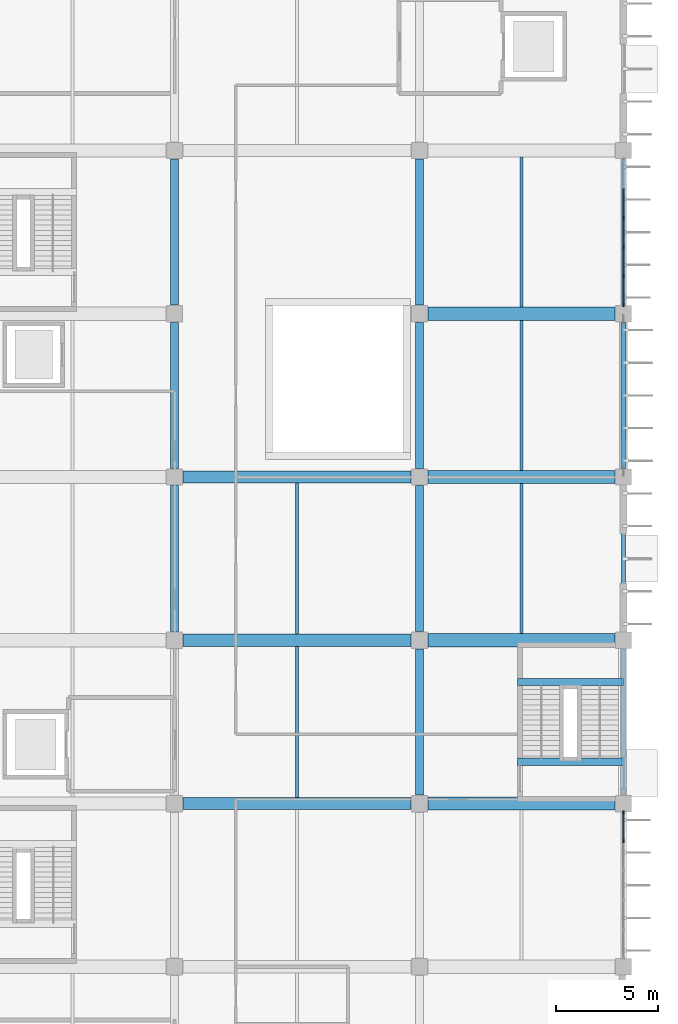
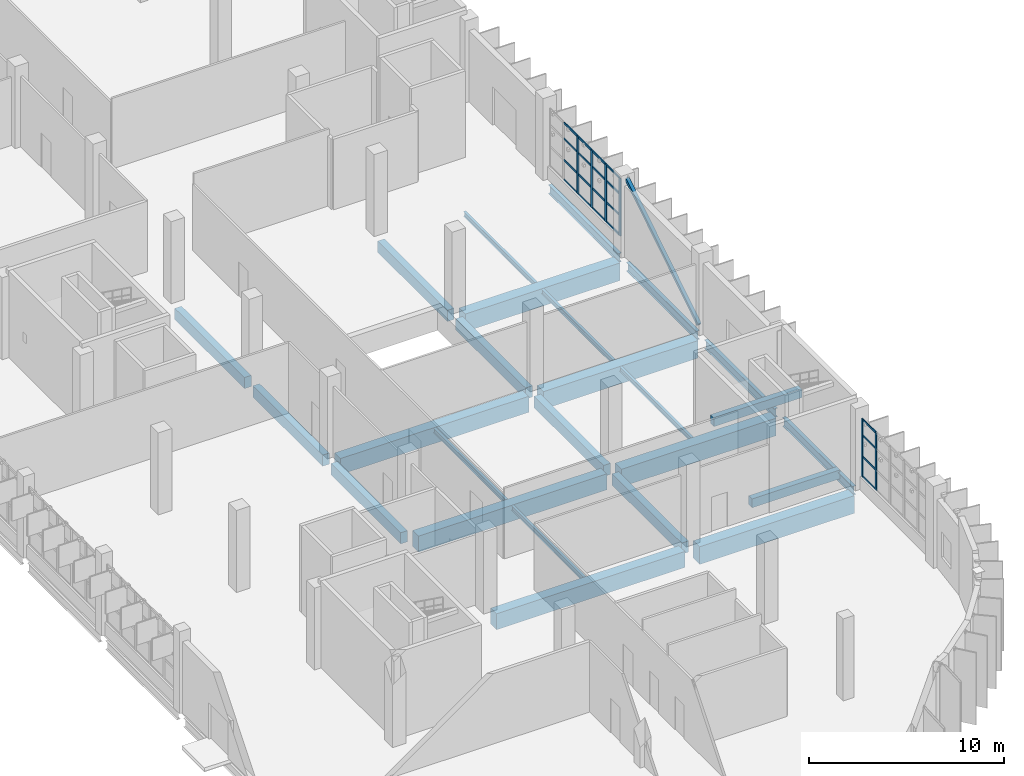
# One storey, part 46 of 103: 27 members, 25 beams, 2 elements without a shape of their own.
"""IFC4 building model written with IfcOpenShell, lengths in metres."""

from ifc_helpers import new_model, si_unit, direction, frame, origin, origin_2d, place, context, subcontext, project, spatial, rectangle, hollow_rectangle, i_section, extrude, material, layer, layer_set, material_profile, profile_set, type_object, element, aggregate, save


model = new_model("IFC4")

# Units and contexts
model_context = context("Model", 3, precision=1e-05, world=origin(), true_north=direction((0.0, 1.0)))
body_context = subcontext(model_context, "Body", "Model", "MODEL_VIEW")
ifc_project = project(units=[si_unit("LENGTHUNIT", "METRE"), si_unit("AREAUNIT", "SQUARE_METRE"), si_unit("VOLUMEUNIT", "CUBIC_METRE"), si_unit("PLANEANGLEUNIT", "RADIAN"), si_unit("MASSUNIT", "GRAM", prefix="KILO")], contexts=[model_context])

# Site, building, storey
site_placement = place(None, origin())
site = spatial("IfcSite", under=ifc_project, at=site_placement, CompositionType="ELEMENT")
building_placement = place(site_placement, origin())
building = spatial("IfcBuilding", under=site, at=building_placement, Name="Drelvana Railside Aquatics Centre", CompositionType="ELEMENT")
storey_placement = place(building_placement, origin())
storey = spatial("IfcBuildingStorey", under=building, at=storey_placement, Name="L00", CompositionType="ELEMENT", Elevation=0.0)

# Curtain wall, members
ifc_material_1 = material(Name="Bronze-anodised aluminium curtain wall", Category="aluminium")
ifc_layer = layer(ifc_material_1, 0.175048828125, Name="Bronze-anodised aluminium curtain wall")
ifc_layer_set = layer_set([ifc_layer], Name="Bronze-anodised aluminium curtain wall")
curtain_wall_type = type_object("IfcCurtainWallType", Name="CW-Z6-WING", PredefinedType="NOTDEFINED", material=ifc_layer_set)
curtain_wall_1_placement = place(storey_placement, origin())
curtain_wall_1 = element("IfcCurtainWall", 1, at=curtain_wall_1_placement, inside=storey, type_object=curtain_wall_type, Name="Curtain wall CW-06-166", PredefinedType="NOTDEFINED")
ifc_material_2 = material(Name="Bronze-anodised aluminium 6063-T6", Category="aluminium")
ifc_material_profile_1 = material_profile(ifc_material_2, rectangle(XDim=0.06494140625, YDim=0.175048828125, at=origin_2d()), Name="ALU-M 65x175")
ifc_profile_set_1 = profile_set([ifc_material_profile_1], Name="Bronze-anodised aluminium 6063-T6")
member_type_1 = type_object("IfcMemberType", Name="CW-Z6-WING-MUL", PredefinedType="MULLION", material=ifc_profile_set_1)
member_1_placement = place(storey_placement, frame((184.0, 30.16357421875, 0.7939453125), z_axis=(0.0, 0.0, 1.0), x_axis=(-1.0, 0.0, 0.0)))
member_1 = element("IfcMember", 2, at=member_1_placement, type_object=member_type_1, Name="CW-06 mullion 5", PredefinedType="MULLION", context=body_context, shape_type="SweptSolid", body=[
    extrude(rectangle(XDim=0.06494140625, YDim=0.175048828125, at=origin_2d()), origin(), (0.0, 0.0, 1.0), 3.60595703125),
])
member_2_placement = place(storey_placement, frame((184.0, 31.573486328125, 0.7939453125), z_axis=(0.0, 0.0, 1.0), x_axis=(-1.0, 0.0, 0.0)))
member_2 = element("IfcMember", 3, at=member_2_placement, type_object=member_type_1, Name="CW-06 mullion 6", PredefinedType="MULLION", context=body_context, shape_type="SweptSolid", body=[
    extrude(rectangle(XDim=0.06494140625, YDim=0.175048828125, at=origin_2d()), origin(), (0.0, 0.0, 1.0), 3.60595703125),
])

curtain_wall_2_placement = place(storey_placement, origin())
curtain_wall_2 = element("IfcCurtainWall", 4, at=curtain_wall_2_placement, inside=storey, type_object=curtain_wall_type, Name="Curtain wall CW-06-175", PredefinedType="NOTDEFINED")
member_3_placement = place(storey_placement, frame((184.0, 56.426513671875, 0.7939453125), z_axis=(0.0, 0.0, 1.0), x_axis=(-1.0, 0.0, 0.0)))
member_3 = element("IfcMember", 5, at=member_3_placement, type_object=member_type_1, Name="CW-06 mullion 1", PredefinedType="MULLION", context=body_context, shape_type="SweptSolid", body=[
    extrude(rectangle(XDim=0.06494140625, YDim=0.175048828125, at=origin_2d()), origin(), (0.0, 0.0, 1.0), 3.60595703125),
])
member_4_placement = place(storey_placement, frame((184.0, 57.83642578125, 0.7939453125), z_axis=(0.0, 0.0, 1.0), x_axis=(-1.0, 0.0, 0.0)))
member_4 = element("IfcMember", 6, at=member_4_placement, type_object=member_type_1, Name="CW-06 mullion 2", PredefinedType="MULLION", context=body_context, shape_type="SweptSolid", body=[
    extrude(rectangle(XDim=0.06494140625, YDim=0.175048828125, at=origin_2d()), origin(), (0.0, 0.0, 1.0), 3.60595703125),
])
member_5_placement = place(storey_placement, frame((184.0, 59.27880859375, 0.7939453125), z_axis=(0.0, 0.0, 1.0), x_axis=(-1.0, 0.0, 0.0)))
member_5 = element("IfcMember", 7, at=member_5_placement, type_object=member_type_1, Name="CW-06 mullion 3", PredefinedType="MULLION", context=body_context, shape_type="SweptSolid", body=[
    extrude(rectangle(XDim=0.06494140625, YDim=0.175048828125, at=origin_2d()), origin(), (0.0, 0.0, 1.0), 3.60595703125),
])
member_6_placement = place(storey_placement, frame((184.0, 60.72119140625, 0.7939453125), z_axis=(0.0, 0.0, 1.0), x_axis=(-1.0, 0.0, 0.0)))
member_6 = element("IfcMember", 8, at=member_6_placement, type_object=member_type_1, Name="CW-06 mullion 4", PredefinedType="MULLION", context=body_context, shape_type="SweptSolid", body=[
    extrude(rectangle(XDim=0.06494140625, YDim=0.175048828125, at=origin_2d()), origin(), (0.0, 0.0, 1.0), 3.60595703125),
])

# Member
ifc_material_profile_2 = material_profile(ifc_material_2, rectangle(XDim=0.1201171875, YDim=0.06005859375, at=origin_2d()), Name="ALU-T 60x120")
ifc_profile_set_2 = profile_set([ifc_material_profile_2], Name="Bronze-anodised aluminium 6063-T6")
member_type_2 = type_object("IfcMemberType", Name="CW-Z6-WING-TRN", PredefinedType="USERDEFINED", material=ifc_profile_set_2)
member_7_placement = place(storey_placement, frame((184.0, 30.191162109375, 0.823974609375), z_axis=(0.0, 1.0, 0.0), x_axis=(0.0, 0.0, 1.0)))
member_7 = element("IfcMember", 9, at=member_7_placement, type_object=member_type_2, Name="CW-06 transom 5.1", ObjectType="TRANSOM", PredefinedType="USERDEFINED", context=body_context, shape_type="SweptSolid", body=[
    extrude(rectangle(XDim=0.1201171875, YDim=0.06005859375, at=origin_2d()), origin(), (0.0, 0.0, 1.0), 1.354736328125),
])

member_8_placement = place(storey_placement, frame((184.0, 30.191162109375, 2.055908203125), z_axis=(0.0, 1.0, 0.0), x_axis=(0.0, 0.0, 1.0)))
member_8 = element("IfcMember", 10, at=member_8_placement, type_object=member_type_2, Name="CW-06 transom 5.2", ObjectType="TRANSOM", PredefinedType="USERDEFINED", context=body_context, shape_type="SweptSolid", body=[
    extrude(rectangle(XDim=0.1201171875, YDim=0.06005859375, at=origin_2d()), origin(), (0.0, 0.0, 1.0), 1.354736328125),
])

member_9_placement = place(storey_placement, frame((184.0, 30.191162109375, 3.389892578125), z_axis=(0.0, 1.0, 0.0), x_axis=(0.0, 0.0, 1.0)))
member_9 = element("IfcMember", 11, at=member_9_placement, type_object=member_type_2, Name="CW-06 transom 5.3", ObjectType="TRANSOM", PredefinedType="USERDEFINED", context=body_context, shape_type="SweptSolid", body=[
    extrude(rectangle(XDim=0.1201171875, YDim=0.06005859375, at=origin_2d()), origin(), (0.0, 0.0, 1.0), 1.354736328125),
])

member_10_placement = place(storey_placement, frame((184.0, 30.191162109375, 4.3701171875), z_axis=(0.0, 1.0, 0.0), x_axis=(0.0, 0.0, 1.0)))
member_10 = element("IfcMember", 12, at=member_10_placement, type_object=member_type_2, Name="CW-06 transom 5.4", ObjectType="TRANSOM", PredefinedType="USERDEFINED", context=body_context, shape_type="SweptSolid", body=[
    extrude(rectangle(XDim=0.1201171875, YDim=0.06005859375, at=origin_2d()), origin(), (0.0, 0.0, 1.0), 1.354736328125),
])

aggregate(curtain_wall_1, [member_1, member_2, member_7, member_8, member_9, member_10])

member_11_placement = place(storey_placement, frame((184.0, 56.4541015625, 0.823974609375), z_axis=(0.0, 1.0, 0.0), x_axis=(0.0, 0.0, 1.0)))
member_11 = element("IfcMember", 13, at=member_11_placement, type_object=member_type_2, Name="CW-06 transom 1.1", ObjectType="TRANSOM", PredefinedType="USERDEFINED", context=body_context, shape_type="SweptSolid", body=[
    extrude(rectangle(XDim=0.1201171875, YDim=0.06005859375, at=origin_2d()), origin(), (0.0, 0.0, 1.0), 1.354736328125),
])

member_12_placement = place(storey_placement, frame((184.0, 56.4541015625, 2.055908203125), z_axis=(0.0, 1.0, 0.0), x_axis=(0.0, 0.0, 1.0)))
member_12 = element("IfcMember", 14, at=member_12_placement, type_object=member_type_2, Name="CW-06 transom 1.2", ObjectType="TRANSOM", PredefinedType="USERDEFINED", context=body_context, shape_type="SweptSolid", body=[
    extrude(rectangle(XDim=0.1201171875, YDim=0.06005859375, at=origin_2d()), origin(), (0.0, 0.0, 1.0), 1.354736328125),
])

member_13_placement = place(storey_placement, frame((184.0, 56.4541015625, 3.389892578125), z_axis=(0.0, 1.0, 0.0), x_axis=(0.0, 0.0, 1.0)))
member_13 = element("IfcMember", 15, at=member_13_placement, type_object=member_type_2, Name="CW-06 transom 1.3", ObjectType="TRANSOM", PredefinedType="USERDEFINED", context=body_context, shape_type="SweptSolid", body=[
    extrude(rectangle(XDim=0.1201171875, YDim=0.06005859375, at=origin_2d()), origin(), (0.0, 0.0, 1.0), 1.354736328125),
])

member_14_placement = place(storey_placement, frame((184.0, 56.4541015625, 4.3701171875), z_axis=(0.0, 1.0, 0.0), x_axis=(0.0, 0.0, 1.0)))
member_14 = element("IfcMember", 16, at=member_14_placement, type_object=member_type_2, Name="CW-06 transom 1.4", ObjectType="TRANSOM", PredefinedType="USERDEFINED", context=body_context, shape_type="SweptSolid", body=[
    extrude(rectangle(XDim=0.1201171875, YDim=0.06005859375, at=origin_2d()), origin(), (0.0, 0.0, 1.0), 1.354736328125),
])

member_15_placement = place(storey_placement, frame((184.0, 57.864013671875, 0.823974609375), z_axis=(0.0, 1.0, 0.0), x_axis=(0.0, 0.0, 1.0)))
member_15 = element("IfcMember", 17, at=member_15_placement, type_object=member_type_2, Name="CW-06 transom 2.1", ObjectType="TRANSOM", PredefinedType="USERDEFINED", context=body_context, shape_type="SweptSolid", body=[
    extrude(rectangle(XDim=0.1201171875, YDim=0.06005859375, at=origin_2d()), origin(), (0.0, 0.0, 1.0), 1.38720703125),
])

member_16_placement = place(storey_placement, frame((184.0, 57.864013671875, 2.055908203125), z_axis=(0.0, 1.0, 0.0), x_axis=(0.0, 0.0, 1.0)))
member_16 = element("IfcMember", 18, at=member_16_placement, type_object=member_type_2, Name="CW-06 transom 2.2", ObjectType="TRANSOM", PredefinedType="USERDEFINED", context=body_context, shape_type="SweptSolid", body=[
    extrude(rectangle(XDim=0.1201171875, YDim=0.06005859375, at=origin_2d()), origin(), (0.0, 0.0, 1.0), 1.38720703125),
])

member_17_placement = place(storey_placement, frame((184.0, 57.864013671875, 3.389892578125), z_axis=(0.0, 1.0, 0.0), x_axis=(0.0, 0.0, 1.0)))
member_17 = element("IfcMember", 19, at=member_17_placement, type_object=member_type_2, Name="CW-06 transom 2.3", ObjectType="TRANSOM", PredefinedType="USERDEFINED", context=body_context, shape_type="SweptSolid", body=[
    extrude(rectangle(XDim=0.1201171875, YDim=0.06005859375, at=origin_2d()), origin(), (0.0, 0.0, 1.0), 1.38720703125),
])

member_18_placement = place(storey_placement, frame((184.0, 57.864013671875, 4.3701171875), z_axis=(0.0, 1.0, 0.0), x_axis=(0.0, 0.0, 1.0)))
member_18 = element("IfcMember", 20, at=member_18_placement, type_object=member_type_2, Name="CW-06 transom 2.4", ObjectType="TRANSOM", PredefinedType="USERDEFINED", context=body_context, shape_type="SweptSolid", body=[
    extrude(rectangle(XDim=0.1201171875, YDim=0.06005859375, at=origin_2d()), origin(), (0.0, 0.0, 1.0), 1.38720703125),
])

member_19_placement = place(storey_placement, frame((184.0, 59.306396484375, 0.823974609375), z_axis=(0.0, 1.0, 0.0), x_axis=(0.0, 0.0, 1.0)))
member_19 = element("IfcMember", 21, at=member_19_placement, type_object=member_type_2, Name="CW-06 transom 3.1", ObjectType="TRANSOM", PredefinedType="USERDEFINED", context=body_context, shape_type="SweptSolid", body=[
    extrude(rectangle(XDim=0.1201171875, YDim=0.06005859375, at=origin_2d()), origin(), (0.0, 0.0, 1.0), 1.38720703125),
])

member_20_placement = place(storey_placement, frame((184.0, 59.306396484375, 2.055908203125), z_axis=(0.0, 1.0, 0.0), x_axis=(0.0, 0.0, 1.0)))
member_20 = element("IfcMember", 22, at=member_20_placement, type_object=member_type_2, Name="CW-06 transom 3.2", ObjectType="TRANSOM", PredefinedType="USERDEFINED", context=body_context, shape_type="SweptSolid", body=[
    extrude(rectangle(XDim=0.1201171875, YDim=0.06005859375, at=origin_2d()), origin(), (0.0, 0.0, 1.0), 1.38720703125),
])

member_21_placement = place(storey_placement, frame((184.0, 59.306396484375, 3.389892578125), z_axis=(0.0, 1.0, 0.0), x_axis=(0.0, 0.0, 1.0)))
member_21 = element("IfcMember", 23, at=member_21_placement, type_object=member_type_2, Name="CW-06 transom 3.3", ObjectType="TRANSOM", PredefinedType="USERDEFINED", context=body_context, shape_type="SweptSolid", body=[
    extrude(rectangle(XDim=0.1201171875, YDim=0.06005859375, at=origin_2d()), origin(), (0.0, 0.0, 1.0), 1.38720703125),
])

member_22_placement = place(storey_placement, frame((184.0, 59.306396484375, 4.3701171875), z_axis=(0.0, 1.0, 0.0), x_axis=(0.0, 0.0, 1.0)))
member_22 = element("IfcMember", 24, at=member_22_placement, type_object=member_type_2, Name="CW-06 transom 3.4", ObjectType="TRANSOM", PredefinedType="USERDEFINED", context=body_context, shape_type="SweptSolid", body=[
    extrude(rectangle(XDim=0.1201171875, YDim=0.06005859375, at=origin_2d()), origin(), (0.0, 0.0, 1.0), 1.38720703125),
])

member_23_placement = place(storey_placement, frame((184.0, 60.748779296875, 0.823974609375), z_axis=(0.0, 1.0, 0.0), x_axis=(0.0, 0.0, 1.0)))
member_23 = element("IfcMember", 25, at=member_23_placement, type_object=member_type_2, Name="CW-06 transom 4.1", ObjectType="TRANSOM", PredefinedType="USERDEFINED", context=body_context, shape_type="SweptSolid", body=[
    extrude(rectangle(XDim=0.1201171875, YDim=0.06005859375, at=origin_2d()), origin(), (0.0, 0.0, 1.0), 1.38720703125),
])

member_24_placement = place(storey_placement, frame((184.0, 60.748779296875, 2.055908203125), z_axis=(0.0, 1.0, 0.0), x_axis=(0.0, 0.0, 1.0)))
member_24 = element("IfcMember", 26, at=member_24_placement, type_object=member_type_2, Name="CW-06 transom 4.2", ObjectType="TRANSOM", PredefinedType="USERDEFINED", context=body_context, shape_type="SweptSolid", body=[
    extrude(rectangle(XDim=0.1201171875, YDim=0.06005859375, at=origin_2d()), origin(), (0.0, 0.0, 1.0), 1.38720703125),
])

member_25_placement = place(storey_placement, frame((184.0, 60.748779296875, 3.389892578125), z_axis=(0.0, 1.0, 0.0), x_axis=(0.0, 0.0, 1.0)))
member_25 = element("IfcMember", 27, at=member_25_placement, type_object=member_type_2, Name="CW-06 transom 4.3", ObjectType="TRANSOM", PredefinedType="USERDEFINED", context=body_context, shape_type="SweptSolid", body=[
    extrude(rectangle(XDim=0.1201171875, YDim=0.06005859375, at=origin_2d()), origin(), (0.0, 0.0, 1.0), 1.38720703125),
])

member_26_placement = place(storey_placement, frame((184.0, 60.748779296875, 4.3701171875), z_axis=(0.0, 1.0, 0.0), x_axis=(0.0, 0.0, 1.0)))
member_26 = element("IfcMember", 28, at=member_26_placement, type_object=member_type_2, Name="CW-06 transom 4.4", ObjectType="TRANSOM", PredefinedType="USERDEFINED", context=body_context, shape_type="SweptSolid", body=[
    extrude(rectangle(XDim=0.1201171875, YDim=0.06005859375, at=origin_2d()), origin(), (0.0, 0.0, 1.0), 1.38720703125),
])

aggregate(curtain_wall_2, [member_3, member_4, member_5, member_6, member_11, member_12, member_13, member_14, member_15, member_16, member_17, member_18, member_19, member_20, member_21, member_22, member_23, member_24, member_25, member_26])

# Beams
ifc_material_3 = material(Name="Concrete C40/50", Category="concrete")
ifc_material_profile_3 = material_profile(ifc_material_3, rectangle(XDim=0.35009765625, YDim=0.550048828125, at=origin_2d()), Name="RC 350x550")
ifc_profile_set_3 = profile_set([ifc_material_profile_3], Name="Concrete C40/50")
beam_type_1 = type_object("IfcBeamType", Name="STR-BM-BM-01-RC-350x550", PredefinedType="BEAM", material=ifc_profile_set_3)
for number, where, z_axis, x_axis, name in (
    (29, (178.800048828125, 34.050048828125, -0.47509765625), (1.0, 0.0, 0.0), (0.0, 1.0, 0.0), "Stair ST-09 L00 landing beam"),
    (30, (178.800048828125, 37.9599609375, 2.22509765625), (1.0, 0.0, 0.0), (0.0, 1.0, 0.0), "Stair ST-09 L00 mid-landing beam"),
):
    element("IfcBeam", number, at=place(storey_placement, frame(where, z_axis=z_axis, x_axis=x_axis)), inside=storey, type_object=beam_type_1, Name=name, PredefinedType="BEAM", context=body_context, shape_type="SweptSolid", body=[
        extrude(rectangle(XDim=0.35009765625, YDim=0.550048828125, at=origin_2d()), origin(), (0.0, 0.0, 1.0), 5.199951171875),
    ])
ifc_material_profile_4 = material_profile(ifc_material_3, rectangle(XDim=0.39990234375, YDim=0.699951171875, at=origin_2d()), Name="RC 400x700")
ifc_profile_set_4 = profile_set([ifc_material_profile_4], Name="Concrete C40/50")
beam_type_2 = type_object("IfcBeamType", Name="STR-BM-BM-03-RC-400x700", PredefinedType="BEAM", material=ifc_profile_set_4)
for number, where, z_axis, x_axis, name in (
    (31, (162.0, 40.425048828125, -0.679931640625), (0.0, 1.0, 0.0), (-1.0, 0.0, 0.0), "Girder BM-03 (L00)"),
    (32, (162.0, 48.425048828125, -0.679931640625), (0.0, 1.0, 0.0), (-1.0, 0.0, 0.0), "Girder BM-03 (L00)"),
    (33, (162.0, 56.425048828125, -0.679931640625), (0.0, 1.0, 0.0), (-1.0, 0.0, 0.0), "Girder BM-03 (L00)"),
    (34, (174.0, 32.425048828125, -0.679931640625), (0.0, 1.0, 0.0), (-1.0, 0.0, 0.0), "Girder BM-03 (L00)"),
    (35, (174.0, 40.425048828125, -0.679931640625), (0.0, 1.0, 0.0), (-1.0, 0.0, 0.0), "Girder BM-03 (L00)"),
    (36, (174.0, 48.425048828125, -0.679931640625), (0.0, 1.0, 0.0), (-1.0, 0.0, 0.0), "Girder BM-03 (L00)"),
    (37, (174.0, 56.425048828125, -0.679931640625), (0.0, 1.0, 0.0), (-1.0, 0.0, 0.0), "Girder BM-03 (L00)"),
):
    element("IfcBeam", number, at=place(storey_placement, frame(where, z_axis=z_axis, x_axis=x_axis)), inside=storey, type_object=beam_type_2, Name=name, PredefinedType="BEAM", context=body_context, shape_type="SweptSolid", body=[
        extrude(rectangle(XDim=0.39990234375, YDim=0.699951171875, at=origin_2d()), origin(), (0.0, 0.0, 1.0), 7.14990234375),
    ])
ifc_material_profile_5 = material_profile(ifc_material_3, rectangle(XDim=0.60009765625, YDim=1.0, at=origin_2d()), Name="RC 600x1000")
ifc_profile_set_5 = profile_set([ifc_material_profile_5], Name="Concrete C40/50")
beam_type_3 = type_object("IfcBeamType", Name="STR-BM-BM-09-RC-600x1000", PredefinedType="BEAM", material=ifc_profile_set_5)
for number, where, z_axis, x_axis, name in (
    (38, (162.425048828125, 32.0, -0.830078125), (1.0, 0.0, 0.0), (0.0, 1.0, 0.0), "Girder BM-09 (L00)"),
    (39, (162.425048828125, 40.0, -0.830078125), (1.0, 0.0, 0.0), (0.0, 1.0, 0.0), "Girder BM-09 (L00)"),
    (40, (162.425048828125, 48.0, -0.830078125), (1.0, 0.0, 0.0), (0.0, 1.0, 0.0), "Girder BM-09 (L00)"),
):
    element("IfcBeam", number, at=place(storey_placement, frame(where, z_axis=z_axis, x_axis=x_axis)), inside=storey, type_object=beam_type_3, Name=name, PredefinedType="BEAM", context=body_context, shape_type="SweptSolid", body=[
        extrude(rectangle(XDim=0.60009765625, YDim=1.0, at=origin_2d()), origin(), (0.0, 0.0, 1.0), 11.14990234375),
    ])
ifc_material_profile_6 = material_profile(ifc_material_3, rectangle(XDim=0.64990234375, YDim=1.10009765625, at=origin_2d()), Name="RC 650x1100")
ifc_profile_set_6 = profile_set([ifc_material_profile_6], Name="Concrete C40/50")
beam_type_4 = type_object("IfcBeamType", Name="STR-BM-BM-10-RC-650x1100", PredefinedType="BEAM", material=ifc_profile_set_6)
for number, where, z_axis, x_axis, name in (
    (41, (174.425048828125, 32.0, -0.8798828125), (1.0, 0.0, 0.0), (0.0, 1.0, 0.0), "Girder BM-10 (L00)"),
    (42, (174.425048828125, 40.0, -0.8798828125), (1.0, 0.0, 0.0), (0.0, 1.0, 0.0), "Girder BM-10 (L00)"),
    (43, (174.425048828125, 48.0, -0.8798828125), (1.0, 0.0, 0.0), (0.0, 1.0, 0.0), "Girder BM-10 (L00)"),
    (44, (174.425048828125, 56.0, -0.8798828125), (1.0, 0.0, 0.0), (0.0, 1.0, 0.0), "Girder BM-10 (L00)"),
):
    element("IfcBeam", number, at=place(storey_placement, frame(where, z_axis=z_axis, x_axis=x_axis)), inside=storey, type_object=beam_type_4, Name=name, PredefinedType="BEAM", context=body_context, shape_type="SweptSolid", body=[
        extrude(rectangle(XDim=0.64990234375, YDim=1.10009765625, at=origin_2d()), origin(), (0.0, 0.0, 1.0), 9.14990234375),
    ])

# Member
ifc_material_4 = material(Name="Structural steel S355", Category="steel")
ifc_material_profile_7 = material_profile(ifc_material_4, hollow_rectangle(XDim=0.199951171875, YDim=0.199951171875, WallThickness=0.010009765625, at=origin_2d()), Name="SHS 200x200x10")
ifc_profile_set_7 = profile_set([ifc_material_profile_7], Name="Structural steel S355")
member_type_3 = type_object("IfcMemberType", Name="STR-MBR-BR-04", PredefinedType="BRACE", material=ifc_profile_set_7)
member_27_placement = place(storey_placement, frame((184.0, 48.300048828125, 0.14990234375), z_axis=(0.0, 0.846699473913, 0.5320714246), x_axis=(-1.0, 0.0, 0.0)))
element("IfcMember", 45, at=member_27_placement, inside=storey, type_object=member_type_3, Name="Lateral frame brace BR-07 (L00)", PredefinedType="BRACE", context=body_context, shape_type="SweptSolid", body=[
    extrude(hollow_rectangle(XDim=0.199951171875, YDim=0.199951171875, WallThickness=0.010009765625, at=origin_2d()), origin(), (0.0, 0.0, 1.0), 8.73974609375),
])

# Beams
ifc_material_profile_8 = material_profile(ifc_material_4, i_section(OverallWidth=0.2099609375, OverallDepth=0.550048828125, WebThickness=0.010986328125, FlangeThickness=0.01708984375, at=origin_2d()), Name="IPE 550")
ifc_profile_set_8 = profile_set([ifc_material_profile_8], Name="Structural steel S355")
beam_type_5 = type_object("IfcBeamType", Name="STR-SBM-SB-04-IPE-550", PredefinedType="SPANDREL", material=ifc_profile_set_8)
for number, where, z_axis, x_axis, name in (
    (46, (184.0, 32.425048828125, -0.60498046875), (0.0, 1.0, 0.0), (-1.0, 0.0, 0.0), "Girder SB-04 (L00)"),
    (47, (184.0, 40.425048828125, -0.60498046875), (0.0, 1.0, 0.0), (-1.0, 0.0, 0.0), "Girder SB-04 (L00)"),
    (48, (184.0, 48.425048828125, -0.60498046875), (0.0, 1.0, 0.0), (-1.0, 0.0, 0.0), "Girder SB-04 (L00)"),
    (49, (184.0, 56.425048828125, -0.60498046875), (0.0, 1.0, 0.0), (-1.0, 0.0, 0.0), "Girder SB-04 (L00)"),
):
    element("IfcBeam", number, at=place(storey_placement, frame(where, z_axis=z_axis, x_axis=x_axis)), inside=storey, type_object=beam_type_5, Name=name, PredefinedType="SPANDREL", context=body_context, shape_type="SweptSolid", body=[
        extrude(i_section(OverallWidth=0.2099609375, OverallDepth=0.550048828125, WebThickness=0.010986328125, FlangeThickness=0.01708984375, at=origin_2d()), origin(), (0.0, 0.0, 1.0), 7.14990234375),
    ])
ifc_material_profile_9 = material_profile(ifc_material_4, i_section(OverallWidth=0.14990234375, OverallDepth=0.300048828125, WebThickness=0.007080078125, FlangeThickness=0.0107421875, at=origin_2d()), Name="IPE 300")
ifc_profile_set_9 = profile_set([ifc_material_profile_9], Name="Structural steel S355")
beam_type_6 = type_object("IfcBeamType", Name="STR-SBM-SJ-03-IPE-300", PredefinedType="JOIST", material=ifc_profile_set_9)
for number, where, z_axis, x_axis, name in (
    (50, (168.0, 32.300048828125, -0.47998046875), (0.0, 1.0, 0.0), (-1.0, 0.0, 0.0), "Secondary floor joist SJ-03 (L00)"),
    (51, (168.0, 40.300048828125, -0.47998046875), (0.0, 1.0, 0.0), (-1.0, 0.0, 0.0), "Secondary floor joist SJ-03 (L00)"),
):
    element("IfcBeam", number, at=place(storey_placement, frame(where, z_axis=z_axis, x_axis=x_axis)), inside=storey, type_object=beam_type_6, Name=name, PredefinedType="JOIST", context=body_context, shape_type="SweptSolid", body=[
        extrude(i_section(OverallWidth=0.14990234375, OverallDepth=0.300048828125, WebThickness=0.007080078125, FlangeThickness=0.0107421875, at=origin_2d()), origin(), (0.0, 0.0, 1.0), 7.39990234375),
    ])
for number, where, z_axis, x_axis, name in (
    (52, (179.0, 40.324951171875, -0.47998046875), (0.0, 1.0, 0.0), (-1.0, 0.0, 0.0), "Secondary floor joist SJ-03 (L00)"),
    (53, (179.0, 48.324951171875, -0.47998046875), (0.0, 1.0, 0.0), (-1.0, 0.0, 0.0), "Secondary floor joist SJ-03 (L00)"),
    (54, (179.0, 56.324951171875, -0.47998046875), (0.0, 1.0, 0.0), (-1.0, 0.0, 0.0), "Secondary floor joist SJ-03 (L00)"),
):
    element("IfcBeam", number, at=place(storey_placement, frame(where, z_axis=z_axis, x_axis=x_axis)), inside=storey, type_object=beam_type_6, Name=name, PredefinedType="JOIST", context=body_context, shape_type="SweptSolid", body=[
        extrude(i_section(OverallWidth=0.14990234375, OverallDepth=0.300048828125, WebThickness=0.007080078125, FlangeThickness=0.0107421875, at=origin_2d()), origin(), (0.0, 0.0, 1.0), 7.35009765625),
    ])

save(model, "model.ifc")
